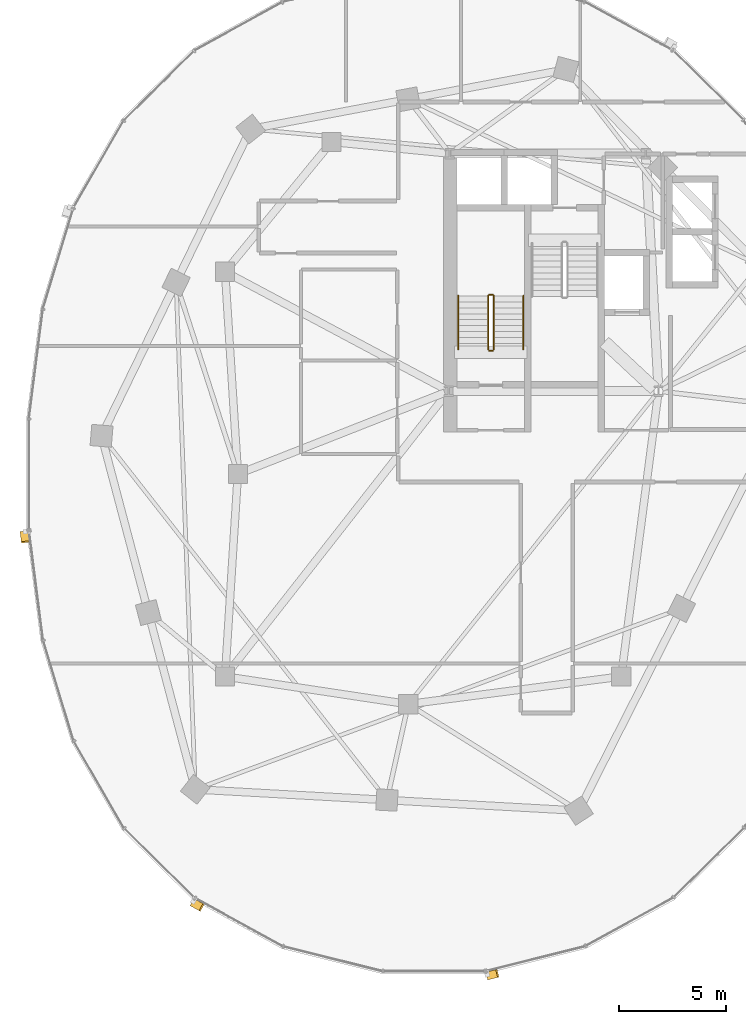
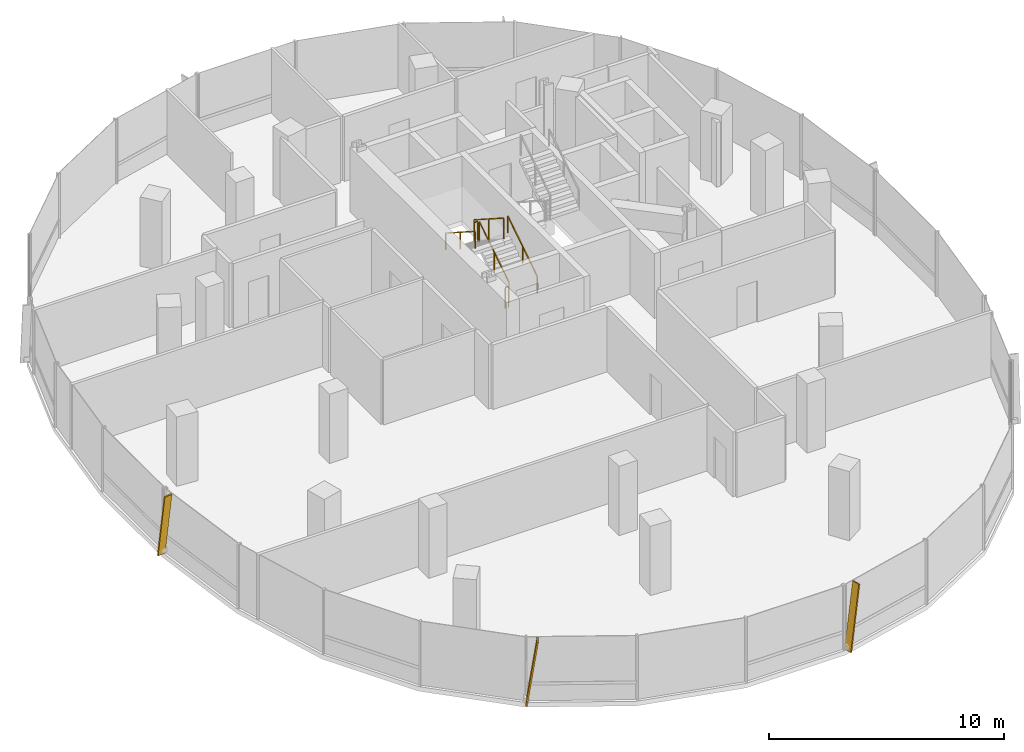
# One storey, part 18 of 22: 6 railings, 3 shading devices.
"""IFC4 building model written with IfcOpenShell, lengths in metres."""

from ifc_helpers import new_model, si_unit, direction, frame, origin, origin_2d, place, context, subcontext, project, spatial, rectangle, extrude, material, material_profile, profile_set, type_object, element, save


model = new_model("IFC4")

# Units and contexts
model_context = context("Model", 3, precision=1e-05, world=origin(), true_north=direction((0.0, 1.0)))
body_context = subcontext(model_context, "Body", "Model", "MODEL_VIEW")
ifc_project = project(units=[si_unit("LENGTHUNIT", "METRE"), si_unit("AREAUNIT", "SQUARE_METRE"), si_unit("VOLUMEUNIT", "CUBIC_METRE"), si_unit("PLANEANGLEUNIT", "RADIAN"), si_unit("MASSUNIT", "GRAM", prefix="KILO"), si_unit("THERMODYNAMICTEMPERATUREUNIT", "KELVIN"), si_unit("POWERUNIT", "WATT")], contexts=[model_context])

# Site, building, storey
site_placement = place(None, origin())
site = spatial("IfcSite", under=ifc_project, at=site_placement, CompositionType="ELEMENT")
building_placement = place(site_placement, origin())
building = spatial("IfcBuilding", under=site, at=building_placement, Name="Cundina Bronze Exchange", CompositionType="ELEMENT")
storey_placement = place(building_placement, frame((0.0, 0.0, 162.0)))
storey = spatial("IfcBuildingStorey", under=building, at=storey_placement, Name="L42", CompositionType="ELEMENT", Elevation=162.0)

# Railings
ifc_material_1 = material(Name="Steel ASTM A36 Painted", Category="steel")
railing_type_1 = type_object("IfcRailingType", Name="RLG-HND-900", PredefinedType="HANDRAIL", material=ifc_material_1)
railing_1_placement = place(storey_placement, frame((-27.7900390625, 5.85009765625, 0.179931640625)))
element("IfcRailing", 1, at=railing_1_placement, inside=storey, type_object=railing_type_1, Name="L42 ST-W1 stair handrail 1", PredefinedType="HANDRAIL", context=body_context, shape_type="SweptSolid", body=[
    extrude(rectangle(XDim=0.048095703125, YDim=0.048095703125, at=origin_2d()), frame((0.0, 0.0, 0.8759765625), z_axis=(0.0, 0.841162588446, 0.540782303519), x_axis=(-1.0, 0.0, 0.0)), (0.0, 0.0, 1.0), 2.995849609375),
    extrude(rectangle(XDim=0.0419921875, YDim=0.0419921875, at=origin_2d()), origin(), (0.0, 0.0, 1.0), 0.851806640625),
    extrude(rectangle(XDim=0.0419921875, YDim=0.0419921875, at=origin_2d()), frame((0.0, 1.260009765625, 0.81005859375)), (0.0, 0.0, 1.0), 0.851806640625),
    extrude(rectangle(XDim=0.0419921875, YDim=0.0419921875, at=origin_2d()), frame((0.0, 2.52001953125, 1.6201171875)), (0.0, 0.0, 1.0), 0.851806640625),
])
railing_2_placement = place(storey_placement, frame((-30.85009765625, 8.3701171875, 1.97998046875)))
element("IfcRailing", 2, at=railing_2_placement, inside=storey, type_object=railing_type_1, Name="L42 ST-W1 stair handrail 2", PredefinedType="HANDRAIL", context=body_context, shape_type="SweptSolid", body=[
    extrude(rectangle(XDim=0.048095703125, YDim=0.048095703125, at=origin_2d()), frame((0.0, 0.0, 0.8759765625), z_axis=(0.0, -0.841162588446, 0.540782303519), x_axis=(1.0, 0.0, 0.0)), (0.0, 0.0, 1.0), 2.995849609375),
    extrude(rectangle(XDim=0.0419921875, YDim=0.0419921875, at=origin_2d()), origin(), (0.0, 0.0, 1.0), 0.851806640625),
    extrude(rectangle(XDim=0.0419921875, YDim=0.0419921875, at=origin_2d()), frame((0.0, -1.260009765625, 0.81005859375)), (0.0, 0.0, 1.0), 0.851806640625),
    extrude(rectangle(XDim=0.0419921875, YDim=0.0419921875, at=origin_2d()), frame((0.0, -2.52001953125, 1.6201171875)), (0.0, 0.0, 1.0), 0.851806640625),
])
railing_type_2 = type_object("IfcRailingType", Name="RLG-STG-1100", PredefinedType="GUARDRAIL", material=ifc_material_1)
railing_3_placement = place(storey_placement, frame((-29.18994140625, 5.85009765625, 0.179931640625)))
element("IfcRailing", 3, at=railing_3_placement, inside=storey, type_object=railing_type_2, Name="L42 ST-W1 stair guard 1", PredefinedType="GUARDRAIL", context=body_context, shape_type="SweptSolid", body=[
    extrude(rectangle(XDim=0.048095703125, YDim=0.048095703125, at=origin_2d()), frame((0.0, 0.0, 1.076171875), z_axis=(0.0, 0.841162588446, 0.540782303519), x_axis=(-1.0, 0.0, 0.0)), (0.0, 0.0, 1.0), 2.995849609375),
    extrude(rectangle(XDim=0.0419921875, YDim=0.0419921875, at=origin_2d()), origin(), (0.0, 0.0, 1.0), 1.052001953125),
    extrude(rectangle(XDim=0.0419921875, YDim=0.0419921875, at=origin_2d()), frame((0.0, 1.260009765625, 0.81005859375)), (0.0, 0.0, 1.0), 1.052001953125),
    extrude(rectangle(XDim=0.0419921875, YDim=0.0419921875, at=origin_2d()), frame((0.0, 2.52001953125, 1.6201171875)), (0.0, 0.0, 1.0), 1.052001953125),
])
railing_4_placement = place(storey_placement, frame((-29.239990234375, 8.419921875, 1.800048828125)))
element("IfcRailing", 4, at=railing_4_placement, inside=storey, type_object=railing_type_2, Name="L42 ST-W1 stair guard 2", PredefinedType="GUARDRAIL", context=body_context, shape_type="SweptSolid", body=[
    extrude(rectangle(XDim=0.048095703125, YDim=0.048095703125, at=origin_2d()), frame((0.0, 0.0, 1.076171875), z_axis=(-1.0, 0.0, 0.0), x_axis=(0.0, -1.0, 0.0)), (0.0, 0.0, 1.0), 0.159912109375),
    extrude(rectangle(XDim=0.0419921875, YDim=0.0419921875, at=origin_2d()), origin(), (0.0, 0.0, 1.0), 1.052001953125),
    extrude(rectangle(XDim=0.0419921875, YDim=0.0419921875, at=origin_2d()), frame((-0.159912109375, 0.0, 0.0)), (0.0, 0.0, 1.0), 1.052001953125),
])
railing_5_placement = place(storey_placement, frame((-29.449951171875, 8.3701171875, 1.97998046875)))
element("IfcRailing", 5, at=railing_5_placement, inside=storey, type_object=railing_type_2, Name="L42 ST-W1 stair guard 3", PredefinedType="GUARDRAIL", context=body_context, shape_type="SweptSolid", body=[
    extrude(rectangle(XDim=0.048095703125, YDim=0.048095703125, at=origin_2d()), frame((0.0, 0.0, 1.076171875), z_axis=(0.0, -0.841162588446, 0.540782303519), x_axis=(1.0, 0.0, 0.0)), (0.0, 0.0, 1.0), 2.995849609375),
    extrude(rectangle(XDim=0.0419921875, YDim=0.0419921875, at=origin_2d()), origin(), (0.0, 0.0, 1.0), 1.052001953125),
    extrude(rectangle(XDim=0.0419921875, YDim=0.0419921875, at=origin_2d()), frame((0.0, -1.260009765625, 0.81005859375)), (0.0, 0.0, 1.0), 1.052001953125),
    extrude(rectangle(XDim=0.0419921875, YDim=0.0419921875, at=origin_2d()), frame((0.0, -2.52001953125, 1.6201171875)), (0.0, 0.0, 1.0), 1.052001953125),
])
railing_6_placement = place(storey_placement, frame((-29.239990234375, 5.800048828125, 0.0)))
element("IfcRailing", 6, at=railing_6_placement, inside=storey, type_object=railing_type_2, Name="L42 ST-W1 stair guard 4", PredefinedType="GUARDRAIL", context=body_context, shape_type="SweptSolid", body=[
    extrude(rectangle(XDim=0.048095703125, YDim=0.048095703125, at=origin_2d()), frame((0.0, 0.0, 1.076171875), z_axis=(-1.0, 0.0, 0.0), x_axis=(0.0, -1.0, 0.0)), (0.0, 0.0, 1.0), 0.159912109375),
    extrude(rectangle(XDim=0.0419921875, YDim=0.0419921875, at=origin_2d()), origin(), (0.0, 0.0, 1.0), 1.052001953125),
    extrude(rectangle(XDim=0.0419921875, YDim=0.0419921875, at=origin_2d()), frame((-0.159912109375, 0.0, 0.0)), (0.0, 0.0, 1.0), 1.052001953125),
])

# Shading devices
ifc_material_2 = material(Name="Anodised Bronze Aluminium 6063-T6", Category="aluminium")
ifc_material_profile = material_profile(ifc_material_2, rectangle(XDim=0.070068359375, YDim=0.3798828125, at=origin_2d()), Name="FIN70X380", Category="aluminium")
ifc_profile_set = profile_set([ifc_material_profile], Name="Anodised Bronze Aluminium 6063-T6")
shading_device_type = type_object("IfcShadingDeviceType", Name="SHD-FIN-BRZ380", PredefinedType="USERDEFINED", material=ifc_profile_set)
for number, where, z_axis, x_axis, name in (
    (7, (-51.23486328125, -2.705810546875, 0.02001953125), (0.018121805099, -0.141917750773, 0.989712560391), (-0.125360789044, 0.981741119016, 0.143070080046), "L42 Diagonal Bronze Solar Fin 1"),
    (8, (-43.320068359375, -20.11181640625, 0.02001953125), (0.125324460949, -0.068993954111, 0.989713905017), (-0.867011652888, 0.477309551067, 0.143060778049), "L42 Diagonal Bronze Solar Fin 5"),
    (9, (-29.48046875, -23.556396484375, 0.02001953125), (0.138788401144, 0.034715294885, 0.989713407007), (-0.960133415413, -0.240159223467, 0.14306422331), "L42 Diagonal Bronze Solar Fin 1"),
):
    element("IfcShadingDevice", number, at=place(storey_placement, frame(where, z_axis=z_axis, x_axis=x_axis)), inside=storey, type_object=shading_device_type, Name=name, ObjectType="FIN", PredefinedType="USERDEFINED", context=body_context, shape_type="SweptSolid", body=[
        extrude(rectangle(XDim=0.070068359375, YDim=0.3798828125, at=origin_2d()), origin(), (0.0, 0.0, 1.0), 3.3544921875),
    ])

save(model, "model.ifc")
